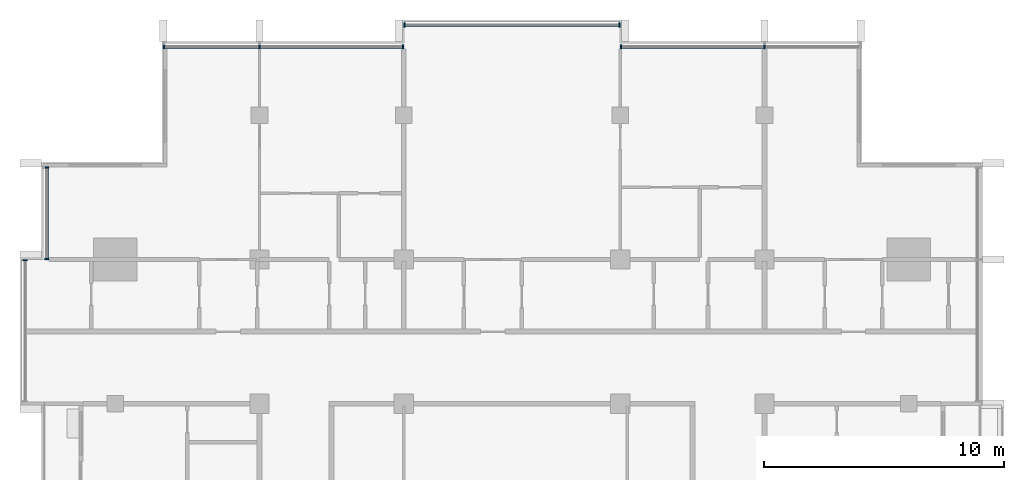
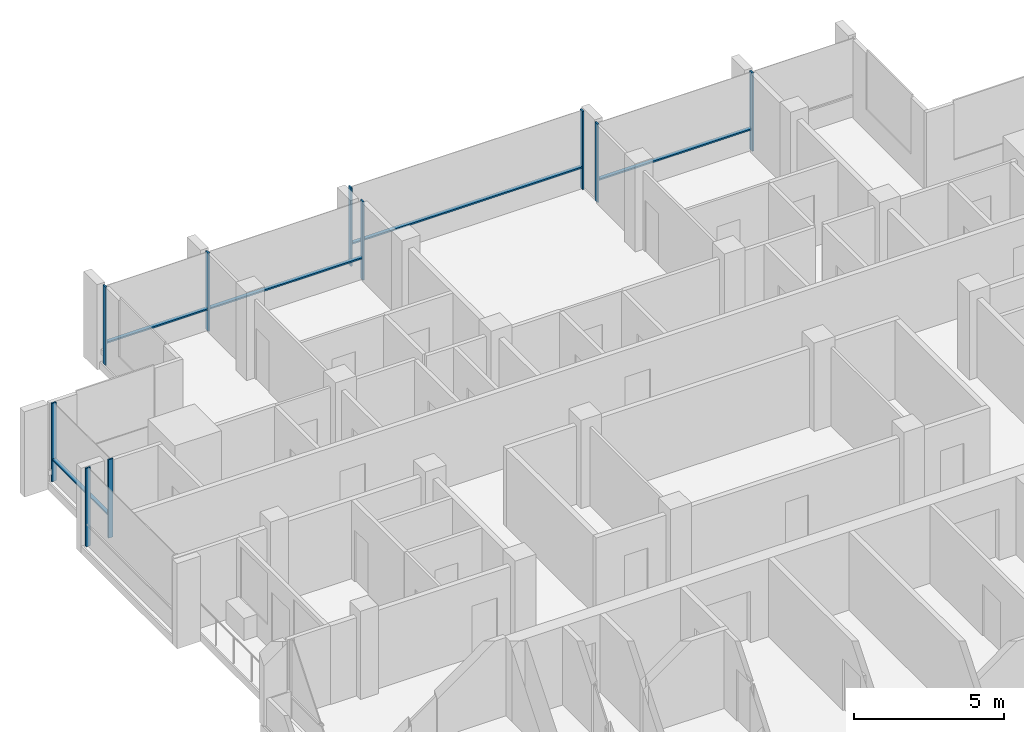
# One storey, part 4 of 16: 15 members, 5 elements without a shape of their own.
"""IFC4 building model written with IfcOpenShell, lengths in metres."""

from ifc_helpers import new_model, si_unit, direction, frame, origin, origin_2d, place, context, subcontext, project, spatial, rectangle, extrude, material, material_profile, profile_set, type_object, element, aggregate, save


model = new_model("IFC4")

# Units and contexts
model_context = context("Model", 3, precision=1e-05, world=origin(), true_north=direction((0.0, 1.0)))
body_context = subcontext(model_context, "Body", "Model", "MODEL_VIEW")
ifc_project = project(units=[si_unit("LENGTHUNIT", "METRE"), si_unit("AREAUNIT", "SQUARE_METRE"), si_unit("VOLUMEUNIT", "CUBIC_METRE"), si_unit("PLANEANGLEUNIT", "RADIAN"), si_unit("MASSUNIT", "GRAM", prefix="KILO")], contexts=[model_context])

# Site, building, storey
site_placement = place(None, origin())
site = spatial("IfcSite", under=ifc_project, at=site_placement, CompositionType="ELEMENT")
building_placement = place(site_placement, origin())
building = spatial("IfcBuilding", under=site, at=building_placement, Name="Finial Court Residences", CompositionType="ELEMENT")
storey_placement = place(building_placement, frame((0.0, 0.0, 295.10009765625)))
storey = spatial("IfcBuildingStorey", under=building, at=storey_placement, Name="L75", CompositionType="ELEMENT", Elevation=295.10009765625)

# Curtain wall, members
ifc_material = material(Name="Bronze anodised aluminium", Category="aluminium")
curtain_wall_type = type_object("IfcCurtainWallType", Name="Unitised curtain wall, upper zones", PredefinedType="NOTDEFINED", material=ifc_material)
curtain_wall_1_placement = place(storey_placement, origin())
curtain_wall_1 = element("IfcCurtainWall", 1, at=curtain_wall_1_placement, inside=storey, type_object=curtain_wall_type, Name="E-L75-CW-N1", PredefinedType="NOTDEFINED")
ifc_material_profile_1 = material_profile(ifc_material, rectangle(XDim=0.175048828125, YDim=0.06005859375, at=origin_2d()), Name="CW2 mullion 60 x 175")
ifc_profile_set_1 = profile_set([ifc_material_profile_1], Name="Bronze anodised aluminium")
member_type_1 = type_object("IfcMemberType", Name="CW2 mullion 60 x 175", PredefinedType="MULLION", material=ifc_profile_set_1)
member_1_placement = place(storey_placement, frame((-14.469970703125, 16.35009765625, 0.0), z_axis=(0.0, 0.0, 1.0), x_axis=(0.0, 1.0, 0.0)))
member_1 = element("IfcMember", 2, at=member_1_placement, type_object=member_type_1, Name="CW2 mullion 1", PredefinedType="MULLION", context=body_context, shape_type="SweptSolid", body=[
    extrude(rectangle(XDim=0.175048828125, YDim=0.06005859375, at=origin_2d()), origin(), (0.0, 0.0, 1.0), 3.199951171875),
])
member_2_placement = place(storey_placement, frame((-10.5, 16.35009765625, 0.0), z_axis=(0.0, 0.0, 1.0), x_axis=(0.0, 1.0, 0.0)))
member_2 = element("IfcMember", 3, at=member_2_placement, type_object=member_type_1, Name="CW2 mullion 2", PredefinedType="MULLION", context=body_context, shape_type="SweptSolid", body=[
    extrude(rectangle(XDim=0.175048828125, YDim=0.06005859375, at=origin_2d()), origin(), (0.0, 0.0, 1.0), 3.199951171875),
])
member_3_placement = place(storey_placement, frame((-4.530029296875, 16.35009765625, 0.0), z_axis=(0.0, 0.0, 1.0), x_axis=(0.0, 1.0, 0.0)))
member_3 = element("IfcMember", 4, at=member_3_placement, type_object=member_type_1, Name="CW2 mullion 3", PredefinedType="MULLION", context=body_context, shape_type="SweptSolid", body=[
    extrude(rectangle(XDim=0.175048828125, YDim=0.06005859375, at=origin_2d()), origin(), (0.0, 0.0, 1.0), 3.199951171875),
])

curtain_wall_2_placement = place(storey_placement, origin())
curtain_wall_2 = element("IfcCurtainWall", 5, at=curtain_wall_2_placement, inside=storey, type_object=curtain_wall_type, Name="E-L75-CW-N2", PredefinedType="NOTDEFINED")
member_4_placement = place(storey_placement, frame((-4.469970703125, 17.25, 0.0), z_axis=(0.0, 0.0, 1.0), x_axis=(0.0, 1.0, 0.0)))
member_4 = element("IfcMember", 6, at=member_4_placement, type_object=member_type_1, Name="CW2 mullion 1", PredefinedType="MULLION", context=body_context, shape_type="SweptSolid", body=[
    extrude(rectangle(XDim=0.175048828125, YDim=0.06005859375, at=origin_2d()), origin(), (0.0, 0.0, 1.0), 3.199951171875),
])
member_5_placement = place(storey_placement, frame((4.469970703125, 17.25, 0.0), z_axis=(0.0, 0.0, 1.0), x_axis=(0.0, 1.0, 0.0)))
member_5 = element("IfcMember", 7, at=member_5_placement, type_object=member_type_1, Name="CW2 mullion 2", PredefinedType="MULLION", context=body_context, shape_type="SweptSolid", body=[
    extrude(rectangle(XDim=0.175048828125, YDim=0.06005859375, at=origin_2d()), origin(), (0.0, 0.0, 1.0), 3.199951171875),
])

curtain_wall_3_placement = place(storey_placement, origin())
curtain_wall_3 = element("IfcCurtainWall", 8, at=curtain_wall_3_placement, inside=storey, type_object=curtain_wall_type, Name="E-L75-CW-N3", PredefinedType="NOTDEFINED")
member_6_placement = place(storey_placement, frame((4.530029296875, 16.35009765625, 0.0), z_axis=(0.0, 0.0, 1.0), x_axis=(0.0, 1.0, 0.0)))
member_6 = element("IfcMember", 9, at=member_6_placement, type_object=member_type_1, Name="CW2 mullion 1", PredefinedType="MULLION", context=body_context, shape_type="SweptSolid", body=[
    extrude(rectangle(XDim=0.175048828125, YDim=0.06005859375, at=origin_2d()), origin(), (0.0, 0.0, 1.0), 3.199951171875),
])
member_7_placement = place(storey_placement, frame((10.5, 16.35009765625, 0.0), z_axis=(0.0, 0.0, 1.0), x_axis=(0.0, 1.0, 0.0)))
member_7 = element("IfcMember", 10, at=member_7_placement, type_object=member_type_1, Name="CW2 mullion 2", PredefinedType="MULLION", context=body_context, shape_type="SweptSolid", body=[
    extrude(rectangle(XDim=0.175048828125, YDim=0.06005859375, at=origin_2d()), origin(), (0.0, 0.0, 1.0), 3.199951171875),
])

# Curtain wall, member
curtain_wall_4_placement = place(storey_placement, origin())
curtain_wall_4 = element("IfcCurtainWall", 11, at=curtain_wall_4_placement, inside=storey, type_object=curtain_wall_type, Name="E-L75-CW-W10", PredefinedType="NOTDEFINED")
member_8_placement = place(storey_placement, frame((-20.25, 7.469970703125, 0.0), z_axis=(0.0, 0.0, 1.0), x_axis=(-1.0, 0.0, 0.0)))
member_8 = element("IfcMember", 12, at=member_8_placement, type_object=member_type_1, Name="CW2 mullion 2", PredefinedType="MULLION", context=body_context, shape_type="SweptSolid", body=[
    extrude(rectangle(XDim=0.175048828125, YDim=0.06005859375, at=origin_2d()), origin(), (0.0, 0.0, 1.0), 3.199951171875),
])
aggregate(curtain_wall_4, [member_8])

# Curtain wall, members
curtain_wall_5_placement = place(storey_placement, origin())
curtain_wall_5 = element("IfcCurtainWall", 13, at=curtain_wall_5_placement, inside=storey, type_object=curtain_wall_type, Name="E-L75-CW-W11", PredefinedType="NOTDEFINED")
member_9_placement = place(storey_placement, frame((-19.35009765625, 7.530029296875, 0.0), z_axis=(0.0, 0.0, 1.0), x_axis=(-1.0, 0.0, 0.0)))
member_9 = element("IfcMember", 14, at=member_9_placement, type_object=member_type_1, Name="CW2 mullion 1", PredefinedType="MULLION", context=body_context, shape_type="SweptSolid", body=[
    extrude(rectangle(XDim=0.175048828125, YDim=0.06005859375, at=origin_2d()), origin(), (0.0, 0.0, 1.0), 3.199951171875),
])
member_10_placement = place(storey_placement, frame((-19.35009765625, 11.320068359375, 0.0), z_axis=(0.0, 0.0, 1.0), x_axis=(-1.0, 0.0, 0.0)))
member_10 = element("IfcMember", 15, at=member_10_placement, type_object=member_type_1, Name="CW2 mullion 2", PredefinedType="MULLION", context=body_context, shape_type="SweptSolid", body=[
    extrude(rectangle(XDim=0.175048828125, YDim=0.06005859375, at=origin_2d()), origin(), (0.0, 0.0, 1.0), 3.199951171875),
])

# Member
ifc_material_profile_2 = material_profile(ifc_material, rectangle(XDim=0.139892578125, YDim=0.06005859375, at=origin_2d()), Name="CW2 transom 60 x 140")
ifc_profile_set_2 = profile_set([ifc_material_profile_2], Name="Bronze anodised aluminium")
member_type_2 = type_object("IfcMemberType", Name="CW2 transom 60 x 140", PredefinedType="USERDEFINED", material=ifc_profile_set_2)
member_11_placement = place(storey_placement, frame((-14.43994140625, 16.35009765625, 0.89990234375), z_axis=(1.0, 0.0, 0.0), x_axis=(0.0, 1.0, 0.0)))
member_11 = element("IfcMember", 16, at=member_11_placement, type_object=member_type_2, Name="CW2 transom 1.1", ObjectType="TRANSOM", PredefinedType="USERDEFINED", context=body_context, shape_type="SweptSolid", body=[
    extrude(rectangle(XDim=0.139892578125, YDim=0.06005859375, at=origin_2d()), origin(), (0.0, 0.0, 1.0), 3.909912109375),
])

member_12_placement = place(storey_placement, frame((-10.469970703125, 16.35009765625, 0.89990234375), z_axis=(1.0, 0.0, 0.0), x_axis=(0.0, 1.0, 0.0)))
member_12 = element("IfcMember", 17, at=member_12_placement, type_object=member_type_2, Name="CW2 transom 2.1", ObjectType="TRANSOM", PredefinedType="USERDEFINED", context=body_context, shape_type="SweptSolid", body=[
    extrude(rectangle(XDim=0.139892578125, YDim=0.06005859375, at=origin_2d()), origin(), (0.0, 0.0, 1.0), 5.909912109375),
])

aggregate(curtain_wall_1, [member_1, member_2, member_3, member_11, member_12])

member_13_placement = place(storey_placement, frame((-4.43994140625, 17.25, 0.89990234375), z_axis=(1.0, 0.0, 0.0), x_axis=(0.0, 1.0, 0.0)))
member_13 = element("IfcMember", 18, at=member_13_placement, type_object=member_type_2, Name="CW2 transom 1.1", ObjectType="TRANSOM", PredefinedType="USERDEFINED", context=body_context, shape_type="SweptSolid", body=[
    extrude(rectangle(XDim=0.139892578125, YDim=0.06005859375, at=origin_2d()), origin(), (0.0, 0.0, 1.0), 8.8798828125),
])

aggregate(curtain_wall_2, [member_4, member_5, member_13])

member_14_placement = place(storey_placement, frame((4.56005859375, 16.35009765625, 0.89990234375), z_axis=(1.0, 0.0, 0.0), x_axis=(0.0, 1.0, 0.0)))
member_14 = element("IfcMember", 19, at=member_14_placement, type_object=member_type_2, Name="CW2 transom 1.1", ObjectType="TRANSOM", PredefinedType="USERDEFINED", context=body_context, shape_type="SweptSolid", body=[
    extrude(rectangle(XDim=0.139892578125, YDim=0.06005859375, at=origin_2d()), origin(), (0.0, 0.0, 1.0), 5.909912109375),
])

aggregate(curtain_wall_3, [member_6, member_7, member_14])

member_15_placement = place(storey_placement, frame((-19.35009765625, 7.56005859375, 0.89990234375), z_axis=(0.0, 1.0, 0.0), x_axis=(-1.0, 0.0, 0.0)))
member_15 = element("IfcMember", 20, at=member_15_placement, type_object=member_type_2, Name="CW2 transom 1.1", ObjectType="TRANSOM", PredefinedType="USERDEFINED", context=body_context, shape_type="SweptSolid", body=[
    extrude(rectangle(XDim=0.139892578125, YDim=0.06005859375, at=origin_2d()), origin(), (0.0, 0.0, 1.0), 3.72998046875),
])

aggregate(curtain_wall_5, [member_9, member_10, member_15])

save(model, "model.ifc")
